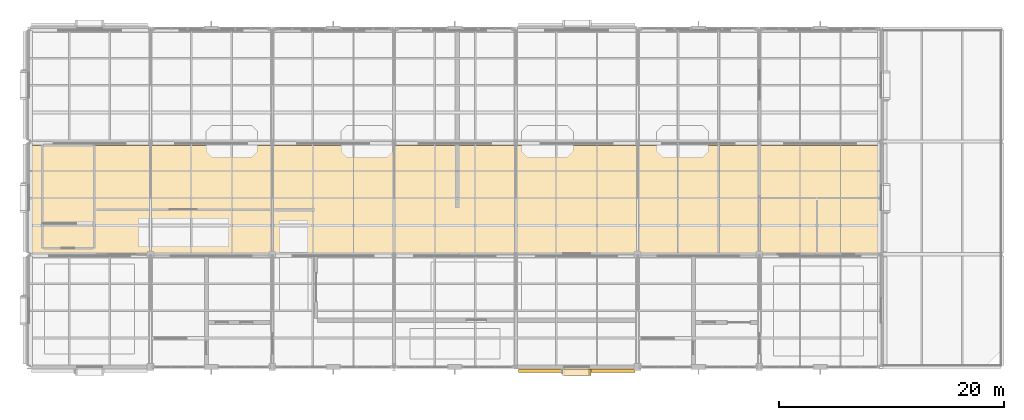
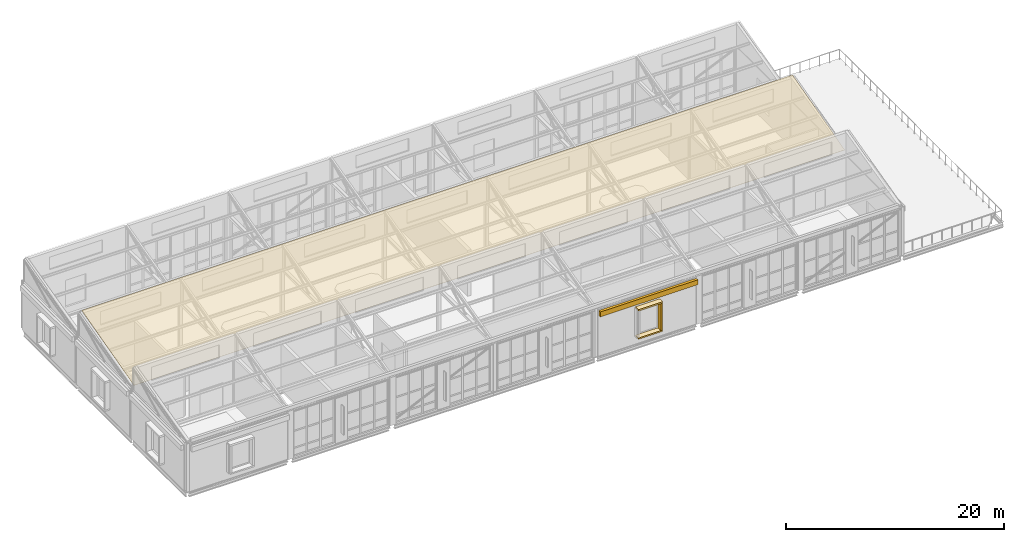
# One storey, part 46 of 49: 5 coverings.
"""IFC4 building model written with IfcOpenShell, lengths in metres."""

import ifcopenshell
import ifcopenshell.guid

model = None  # the IFC model being written
_history = None  # IfcOwnerHistory: only IFC2X3 demands one
_inside = {}  # id of a spatial element -> (the spatial element, [elements in it])
_under = {}  # id of a project, library or spatial element -> (it, [spatial elements below it])
_declared = {}  # id of a project -> (the project, [libraries it declares])
_typed = {}  # id of a type object -> (the type object, [elements of that type])
_made_of = {}  # id of a material, layer set ... -> (it, [elements and type objects made of it])


def new_model(schema):
    """Start an empty IFC model of exactly this schema.

    Asked for "IFC4X3", IfcOpenShell would pick the latest addendum, in which some entities
    have other attributes; the version numbers below select the first issue.
    IFC2X3 requires an IfcOwnerHistory on every rooted entity: one is made here for all.
    """
    global model, _history
    if schema == "IFC4X3":
        model = ifcopenshell.file(schema_version=(4, 3, 0, 0))
    else:
        model = ifcopenshell.file(schema=schema)
    _inside.clear()
    _under.clear()
    _declared.clear()
    _typed.clear()
    _made_of.clear()
    _history = None
    if model.schema == "IFC2X3":
        org = make("IfcOrganization", Name="unknown")
        user = make(
            "IfcPersonAndOrganization",
            ThePerson=make("IfcPerson", FamilyName="unknown"),
            TheOrganization=org,
        )
        app = make(
            "IfcApplication",
            ApplicationDeveloper=org,
            Version="unknown",
            ApplicationFullName="unknown",
            ApplicationIdentifier="unknown",
        )
        _history = make(
            "IfcOwnerHistory",
            OwningUser=user,
            OwningApplication=app,
            ChangeAction="ADDED",
            CreationDate=0,
        )
    return model


def make(cls, **values):
    """One entity of the class cls with the attributes given. An attribute that is None is left unset."""
    return model.create_entity(
        cls, **{name: value for name, value in values.items() if value is not None}
    )


def rooted(cls, **values):
    """An entity with a GlobalId (a new one), such as an element, a storey or a relation."""
    return make(cls, GlobalId=ifcopenshell.guid.new(), OwnerHistory=_history, **values)


def si_unit(unit_type, name, prefix=None):
    """IfcSIUnit, for example si_unit("LENGTHUNIT", "METRE", prefix="MILLI")."""
    return make("IfcSIUnit", UnitType=unit_type, Prefix=prefix, Name=name)


def assignment(units):
    """IfcUnitAssignment: the units of a project."""
    return None if units is None else make("IfcUnitAssignment", Units=units)


def point(xyz):
    """IfcCartesianPoint."""
    return None if xyz is None else make("IfcCartesianPoint", Coordinates=xyz)


def direction(xyz):
    """IfcDirection."""
    return None if xyz is None else make("IfcDirection", DirectionRatios=xyz)


def frame(location, z_axis=None, x_axis=None):
    """IfcAxis2Placement3D, a coordinate frame: its origin and axes. An axis left out is left unset."""
    return make(
        "IfcAxis2Placement3D",
        Location=point(location),
        Axis=direction(z_axis),
        RefDirection=direction(x_axis),
    )


def frame_2d(location, x_axis=None):
    """IfcAxis2Placement2D, a coordinate frame in the plane: its origin and x axis."""
    return make(
        "IfcAxis2Placement2D", Location=point(location), RefDirection=direction(x_axis)
    )


def origin():
    """The frame at (0, 0, 0) with its axes left unset."""
    return frame((0.0, 0.0, 0.0))


def origin_2d():
    """The frame at (0, 0) in the plane with its x axis left unset."""
    return frame_2d((0.0, 0.0))


def place(relative_to, where):
    """IfcLocalPlacement: puts the frame where relative to a parent placement (None: the world)."""
    return make(
        "IfcLocalPlacement", PlacementRelTo=relative_to, RelativePlacement=where
    )


def context(
    kind, dimensions, precision=None, world=None, true_north=None, identifier=None
):
    """IfcGeometricRepresentationContext, for example the 3D "Model" context."""
    return make(
        "IfcGeometricRepresentationContext",
        ContextIdentifier=identifier,
        ContextType=kind,
        CoordinateSpaceDimension=dimensions,
        Precision=precision,
        WorldCoordinateSystem=world,
        TrueNorth=true_north,
    )


def subcontext(parent, identifier, kind, view, scale=None):
    """IfcGeometricRepresentationSubContext, for example "Body" below "Model"."""
    return make(
        "IfcGeometricRepresentationSubContext",
        ContextIdentifier=identifier,
        ContextType=kind,
        ParentContext=parent,
        TargetScale=scale,
        TargetView=view,
    )


def project(units=None, contexts=None):
    """IfcProject with its units and contexts."""
    return rooted(
        "IfcProject",
        Name="project",
        RepresentationContexts=contexts,
        UnitsInContext=assignment(units),
    )


def spatial(cls, under=None, at=None, **own):
    """A site, building, storey or space (cls), placed at a placement, below another one or the project."""
    s = rooted(cls, ObjectPlacement=at, **own)
    if under is not None:
        _under.setdefault(under.id(), (under, []))[1].append(s)
    return s


def polyline(points):
    """IfcPolyline through the points."""
    return make("IfcPolyline", Points=[point(p) for p in points])


def profile(cls, at=None, kind="AREA", **sizes):
    """A parametric profile (cls). Its sizes go by their IFC names, for example OverallWidth=200.0."""
    return make(cls, ProfileType=kind, Position=at, **sizes)


def rectangle(**sizes):
    """IfcRectangleProfileDef."""
    return profile("IfcRectangleProfileDef", **sizes)


def outline(outer, holes=None, kind="AREA"):
    """IfcArbitraryClosedProfileDef: a profile drawn as a closed curve; with holes, ...WithVoids."""
    if holes is None:
        return make("IfcArbitraryClosedProfileDef", ProfileType=kind, OuterCurve=outer)
    return make(
        "IfcArbitraryProfileDefWithVoids",
        ProfileType=kind,
        OuterCurve=outer,
        InnerCurves=holes,
    )


def extrude(swept, where, along, depth):
    """IfcExtrudedAreaSolid: the profile swept, set in the frame where, extruded along a direction by depth."""
    return make(
        "IfcExtrudedAreaSolid",
        SweptArea=swept,
        Position=where,
        ExtrudedDirection=direction(along),
        Depth=depth,
    )


def shape(context_of_items, identifier, shape_type, items):
    """IfcShapeRepresentation: the items that make up one representation, for example the "Body"."""
    return make(
        "IfcShapeRepresentation",
        ContextOfItems=context_of_items,
        RepresentationIdentifier=identifier,
        RepresentationType=shape_type,
        Items=items,
    )


def material(Name=None, Category=None):
    """IfcMaterial."""
    return make("IfcMaterial", Name=Name, Category=Category)


def layer(
    of_material, thickness, ventilated=None, Name=None, Category=None, Priority=None
):
    """IfcMaterialLayer: one layer of a wall or slab, of a material (None: an air gap)."""
    return make(
        "IfcMaterialLayer",
        Material=of_material,
        LayerThickness=thickness,
        IsVentilated=ventilated,
        Name=Name,
        Category=Category,
        Priority=Priority,
    )


def layer_set(layers, Name=None):
    """IfcMaterialLayerSet."""
    return make("IfcMaterialLayerSet", MaterialLayers=layers, LayerSetName=Name)


def made_of(thing, what):
    """Note that an element or type object is made of a material, layer set ...; save() writes the relation."""
    if what is not None:
        _made_of.setdefault(what.id(), (what, []))[1].append(thing)
    return thing


def type_object(cls, material=None, **own):
    """A type object (cls), such as IfcWallType, which elements share."""
    return made_of(rooted(cls, **own), material)


def element(
    cls,
    number,
    at=None,
    inside=None,
    cuts=None,
    type_object=None,
    material=None,
    context=None,
    identifier="Body",
    shape_type=None,
    held_by="IfcProductDefinitionShape",
    body=None,
    shapes=None,
    **own,
):
    """One element of the class cls, such as IfcWall. Its Tag is "e" and its number.

    at: its placement. inside: the storey or other place that contains it. cuts: it is an
    opening in that element (IfcRelVoidsElement). A single representation is given by context,
    identifier, shape_type and body (its items); several are given by shapes. held_by: the class
    of the entity that holds the representations. save() writes the other relations.
    """
    e = rooted(cls, Tag="e%d" % number, ObjectPlacement=at, **own)
    if body is not None:
        shapes = [shape(context, identifier, shape_type, body)]
    if shapes is not None:
        e.Representation = make(held_by, Representations=shapes)
    if inside is not None:
        _inside.setdefault(inside.id(), (inside, []))[1].append(e)
    if cuts is not None:
        rooted(
            "IfcRelVoidsElement", RelatingBuildingElement=cuts, RelatedOpeningElement=e
        )
    if type_object is not None:
        _typed.setdefault(type_object.id(), (type_object, []))[1].append(e)
    return made_of(e, material)


def aggregate(whole, parts):
    """IfcRelAggregates: a whole, such as a stair, and the parts it consists of."""
    return rooted("IfcRelAggregates", RelatingObject=whole, RelatedObjects=parts)


def save(model, path):
    """Write the relations noted so far, then the file.

    IfcRelAggregates (storeys below a building ...), IfcRelContainedInSpatialStructure (elements
    in a storey), IfcRelDefinesByType, IfcRelAssociatesMaterial and IfcRelDeclares: one each for
    every whole, place, type object, material and project.
    """
    for whole, parts in _under.values():
        aggregate(whole, parts)
    for where, things in _inside.values():
        rooted(
            "IfcRelContainedInSpatialStructure",
            RelatedElements=things,
            RelatingStructure=where,
        )
    for kind, things in _typed.values():
        rooted("IfcRelDefinesByType", RelatedObjects=things, RelatingType=kind)
    for what, things in _made_of.values():
        rooted("IfcRelAssociatesMaterial", RelatedObjects=things, RelatingMaterial=what)
    for by, libraries in _declared.values():
        rooted("IfcRelDeclares", RelatingContext=by, RelatedDefinitions=libraries)
    model.write(path)


model = new_model("IFC4")

# Units and contexts
model_context = context("Model", 3, precision=1e-05, world=origin(), true_north=direction((0.0, 1.0)))
body_context = subcontext(model_context, "Body", "Model", "MODEL_VIEW")
ifc_project = project(units=[si_unit("LENGTHUNIT", "METRE"), si_unit("AREAUNIT", "SQUARE_METRE"), si_unit("VOLUMEUNIT", "CUBIC_METRE"), si_unit("PLANEANGLEUNIT", "RADIAN"), si_unit("MASSUNIT", "GRAM", prefix="KILO")], contexts=[model_context])

# Site, building, storey
site_placement = place(None, origin())
site = spatial("IfcSite", under=ifc_project, at=site_placement, CompositionType="ELEMENT")
building_placement = place(site_placement, origin())
building = spatial("IfcBuilding", under=site, at=building_placement, Name="Tasgan Crest Museum", CompositionType="ELEMENT")
storey_placement = place(building_placement, frame((0.0, 0.0, 28.800048828125)))
storey = spatial("IfcBuildingStorey", under=building, at=storey_placement, Name="L05", CompositionType="ELEMENT", Elevation=28.800048828125)

# Coverings
ifc_material_1 = material(Name="Honed Rose-Red Mongolian Granite", Category="masonry")
ifc_layer_1 = layer(ifc_material_1, 0.0400390625, Name="COV-GRANITE-ROSE")
ifc_layer_set_1 = layer_set([ifc_layer_1], Name="Honed Rose-Red Mongolian Granite")
covering_type_1 = type_object("IfcCoveringType", Name="COV-GRANITE-ROSE", PredefinedType="CLADDING", material=ifc_layer_set_1)
covering_1_placement = place(storey_placement, frame((49.7900390625, 81.534912109375, 1.0), z_axis=(0.0, 0.0, 1.0), x_axis=(1.0, 0.0, 0.0)))
element("IfcCovering", 1, at=covering_1_placement, inside=storey, type_object=covering_type_1, Name="Deep window reveal jamb L05-076", PredefinedType="CLADDING", context=body_context, shape_type="SweptSolid", body=[
    extrude(rectangle(XDim=0.179931640625, YDim=0.550048828125, at=origin_2d()), origin(), (0.0, 0.0, 1.0), 3.0),
])
ifc_material_2 = material(Name="Honed Buff Limestone", Category="masonry")
ifc_layer_2 = layer(ifc_material_2, 0.044921875, Name="COV-LIMESTONE-BUFF")
ifc_layer_set_2 = layer_set([ifc_layer_2], Name="Honed Buff Limestone")
covering_type_2 = type_object("IfcCoveringType", Name="COV-LIMESTONE-BUFF", PredefinedType="CLADDING", material=ifc_layer_set_2)
covering_2_placement = place(storey_placement, frame((48.60009765625, 81.669921875, 4.56005859375), z_axis=(0.0, 0.0, 1.0), x_axis=(1.0, 0.0, 0.0)))
element("IfcCovering", 2, at=covering_2_placement, inside=storey, type_object=covering_type_2, Name="Stone frieze cladding L05", PredefinedType="CLADDING", context=body_context, shape_type="SweptSolid", body=[
    extrude(rectangle(XDim=10.31005859375, YDim=0.280029296875, at=origin_2d()), origin(), (0.0, 0.0, 1.0), 0.550048828125),
])
covering_3_placement = place(storey_placement, frame((48.60009765625, 81.534912109375, 4.0), z_axis=(0.0, 0.0, 1.0), x_axis=(1.0, 0.0, 0.0)))
element("IfcCovering", 3, at=covering_3_placement, inside=storey, type_object=covering_type_2, Name="Deep window hood L05-076", PredefinedType="CLADDING", context=body_context, shape_type="SweptSolid", body=[
    extrude(rectangle(XDim=2.56005859375, YDim=0.550048828125, at=origin_2d()), origin(), (0.0, 0.0, 1.0), 0.179931640625),
])
covering_4_placement = place(storey_placement, frame((48.60009765625, 81.534912109375, 0.85986328125), z_axis=(0.0, 0.0, 1.0), x_axis=(1.0, 0.0, 0.0)))
element("IfcCovering", 4, at=covering_4_placement, inside=storey, type_object=covering_type_2, Name="Deep window sill L05-076", PredefinedType="CLADDING", context=body_context, shape_type="SweptSolid", body=[
    extrude(rectangle(XDim=2.56005859375, YDim=0.550048828125, at=origin_2d()), origin(), (0.0, 0.0, 1.0), 0.139892578125),
])
ifc_material_3 = material(Name="Pre-weathered Standing-Seam Zinc")
ifc_layer_3 = layer(ifc_material_3, 0.030029296875, Name="COV-ROOF-ZINC")
ifc_layer_set_3 = layer_set([ifc_layer_3], Name="Pre-weathered Standing-Seam Zinc")
covering_type_3 = type_object("IfcCoveringType", Name="COV-ROOF-ZINC", PredefinedType="ROOFING", material=ifc_layer_set_3)
covering_5_placement = place(storey_placement, frame((0.199951171875, 92.10009765625, 5.639892578125), z_axis=(0.0, -0.262704113642, 0.964876442181), x_axis=(1.0, 0.0, 0.0)))
element("IfcCovering", 5, at=covering_5_placement, inside=storey, type_object=covering_type_3, Name="Sawtooth standing-seam zinc roofing B2", PredefinedType="ROOFING", context=body_context, shape_type="SweptSolid", body=[
    extrude(outline(polyline([(0.0, 0.0), (75.199951171875, 0.0), (75.199951171875, 9.897437920564782), (0.0, 9.897437920564782), (0.0, 0.0)])), origin(), (0.0, 0.0, -1.0), 0.030029296875),
])

save(model, "model.ifc")
